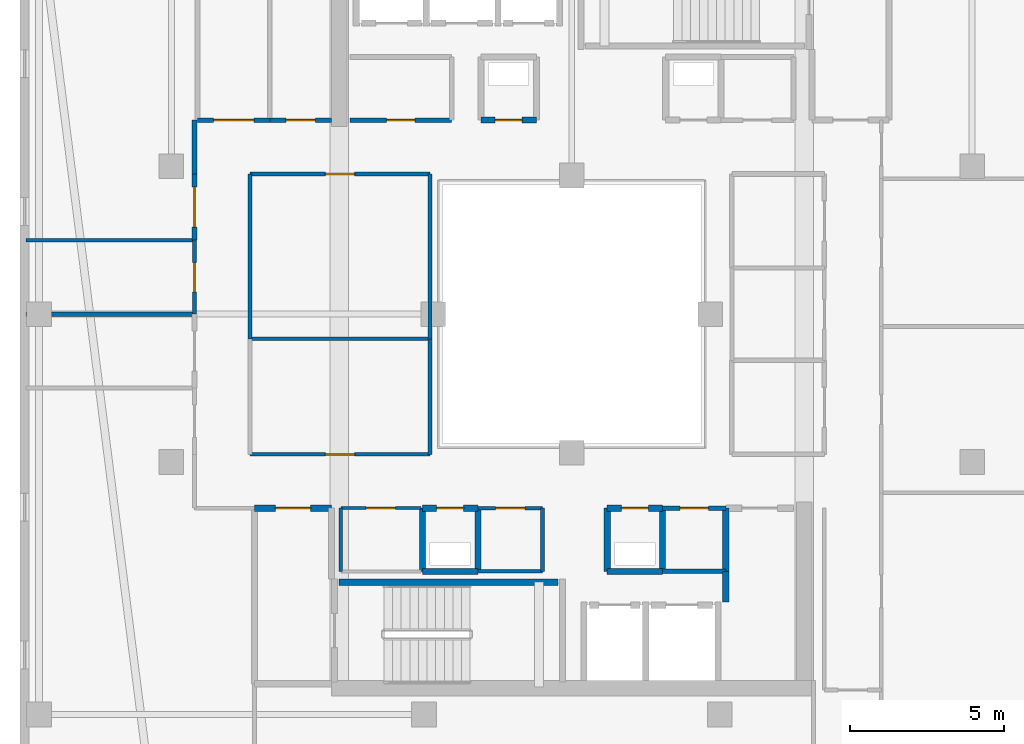
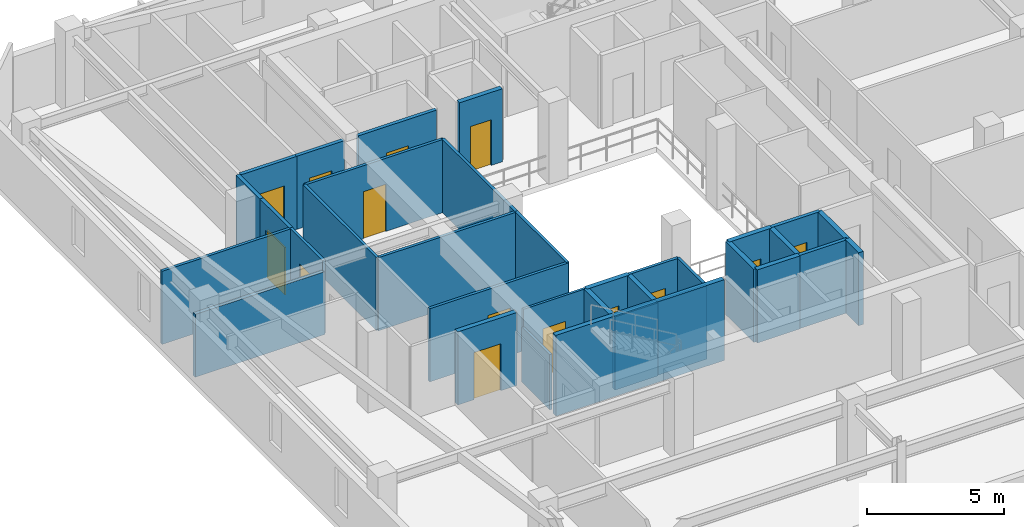
# One storey, part 22 of 35: 34 walls, 14 doors, 14 openings.
"""IFC4 building model written with IfcOpenShell, lengths in metres."""

from ifc_helpers import new_model, si_unit, direction, frame, frame_2d, origin, place, context, subcontext, project, spatial, rectangle, extrude, material, layer, layer_set, type_object, element, fill, save


model = new_model("IFC4")

# Units and contexts
model_context = context("Model", 3, precision=1e-05, world=origin(), true_north=direction((0.0, 1.0)))
body_context = subcontext(model_context, "Body", "Model", "MODEL_VIEW")
ifc_project = project(units=[si_unit("LENGTHUNIT", "METRE"), si_unit("AREAUNIT", "SQUARE_METRE"), si_unit("VOLUMEUNIT", "CUBIC_METRE"), si_unit("PLANEANGLEUNIT", "RADIAN"), si_unit("MASSUNIT", "GRAM", prefix="KILO")], contexts=[model_context])

# Site, building, storey
site_placement = place(None, origin())
site = spatial("IfcSite", under=ifc_project, at=site_placement, CompositionType="ELEMENT")
building_placement = place(site_placement, origin())
building = spatial("IfcBuilding", under=site, at=building_placement, Name="Thornwick Lancets Civic Towers", CompositionType="ELEMENT")
storey_placement = place(building_placement, frame((0.0, 0.0, 276.300048828125)))
storey = spatial("IfcBuildingStorey", under=building, at=storey_placement, Name="L74", CompositionType="ELEMENT", Elevation=276.300048828125)

# Wall, opening, door
ifc_material_1 = material(Name="Concrete blockwork C40/50", Category="masonry")
ifc_layer_1 = layer(ifc_material_1, 0.199951171875, Name="Concrete blockwork C40/50")
ifc_layer_set_1 = layer_set([ifc_layer_1], Name="Concrete blockwork C40/50")
wall_type_1 = type_object("IfcWallType", Name="WALL_COMP_200", PredefinedType="STANDARD", material=ifc_layer_set_1)
wall_1_placement = place(storey_placement, frame((17.699951171875, 20.699951171875, 0.0), z_axis=(0.0, 0.0, 1.0), x_axis=(-1.0, 0.0, 0.0)))
wall_1 = element("IfcWall", 1, at=wall_1_placement, inside=storey, type_object=wall_type_1, Name="L74 Partition L74-A-FFLOB1 E3", PredefinedType="STANDARD", context=body_context, shape_type="SweptSolid", body=[
    extrude(rectangle(XDim=2.5, YDim=0.199951171875, at=frame_2d((1.25, 0.0))), origin(), (0.0, 0.0, 1.0), 3.260009765625),
])
opening_1_placement = place(wall_1_placement, frame((0.675048828125, 0.0, 0.0)))
opening_1 = element("IfcOpeningElement", 2, at=opening_1_placement, cuts=wall_1, Name="Opening D-L74-3385", PredefinedType="OPENING", context=body_context, shape_type="SweptSolid", body=[
    extrude(rectangle(XDim=1.14990234375, YDim=2.10009765625, at=frame_2d((0.574951171875, 1.050048828125))), frame((0.0, 0.10986328125, 0.0), z_axis=(0.0, -1.0, 0.0), x_axis=(1.0, 0.0, 0.0)), (0.0, 0.0, 1.0), 0.219970703125),
])
ifc_material_2 = material(Name="Glazed fire-resisting steel", Category="steel")
door_type_1 = type_object("IfcDoorType", Name="DOOR_LOBBY_FD60", OperationType="NOTDEFINED", PredefinedType="DOOR", material=ifc_material_2)
door_1_placement = place(opening_1_placement, origin())
door_1 = element("IfcDoor", 3, at=door_1_placement, inside=storey, type_object=door_type_1, Name="L74 South Firefighting Lobby 1 Door", OperationType="SINGLE_SWING_RIGHT", OverallHeight=2.10009765625, OverallWidth=1.14990234375, PredefinedType="DOOR", context=body_context, shape_type="SweptSolid", body=[
    extrude(rectangle(XDim=1.14990234375, YDim=2.10009765625, at=frame_2d((0.574951171875, 1.050048828125))), frame((0.0, 0.02490234375, 0.0), z_axis=(0.0, -1.0, 0.0), x_axis=(1.0, 0.0, 0.0)), (0.0, 0.0, 1.0), 0.050048828125),
])
fill(opening_1, door_1)

# Walls
wall_2_placement = place(storey_placement, frame((26.64990234375, 18.64990234375, 0.0), z_axis=(0.0, 0.0, 1.0), x_axis=(1.0, 0.0, 0.0)))
element("IfcWall", 4, at=wall_2_placement, inside=storey, type_object=wall_type_1, Name="L74 Partition L74-A-DUCT1 E1", PredefinedType="STANDARD", context=body_context, shape_type="SweptSolid", body=[
    extrude(rectangle(XDim=1.800048828125, YDim=0.199951171875, at=frame_2d((0.89990234375, 0.0))), origin(), (0.0, 0.0, 1.0), 3.260009765625),
])
wall_3_placement = place(storey_placement, frame((28.449951171875, 18.64990234375, 0.0), z_axis=(0.0, 0.0, 1.0), x_axis=(0.0, 1.0, 0.0)))
element("IfcWall", 5, at=wall_3_placement, inside=storey, type_object=wall_type_1, Name="L74 Partition L74-A-DUCT1 E2", PredefinedType="STANDARD", context=body_context, shape_type="SweptSolid", body=[
    extrude(rectangle(XDim=2.050048828125, YDim=0.199951171875, at=frame_2d((1.02490234375, 0.0))), origin(), (0.0, 0.0, 1.0), 3.260009765625),
])

# Wall, opening, door
wall_4_placement = place(storey_placement, frame((28.449951171875, 20.699951171875, 0.0), z_axis=(0.0, 0.0, 1.0), x_axis=(-1.0, 0.0, 0.0)))
wall_4 = element("IfcWall", 6, at=wall_4_placement, inside=storey, type_object=wall_type_1, Name="L74 Partition L74-A-DUCT1 E3", PredefinedType="STANDARD", context=body_context, shape_type="SweptSolid", body=[
    extrude(rectangle(XDim=1.800048828125, YDim=0.199951171875, at=frame_2d((0.89990234375, 0.0))), origin(), (0.0, 0.0, 1.0), 3.260009765625),
])
opening_2_placement = place(wall_4_placement, frame((0.4599609375, 0.0, 0.0)))
opening_2 = element("IfcOpeningElement", 7, at=opening_2_placement, cuts=wall_4, Name="Opening D-L74-3387", PredefinedType="OPENING", context=body_context, shape_type="SweptSolid", body=[
    extrude(rectangle(XDim=0.8798828125, YDim=2.0400390625, at=frame_2d((0.43994140625, 1.02001953125))), frame((0.0, 0.10986328125, 0.0), z_axis=(0.0, -1.0, 0.0), x_axis=(1.0, 0.0, 0.0)), (0.0, 0.0, 1.0), 0.219970703125),
])
ifc_material_3 = material(Name="Steel riser access doorset", Category="steel")
door_type_2 = type_object("IfcDoorType", Name="DOOR_RISER_850", OperationType="NOTDEFINED", PredefinedType="DOOR", material=ifc_material_3)
door_2_placement = place(opening_2_placement, origin())
door_2 = element("IfcDoor", 8, at=door_2_placement, inside=storey, type_object=door_type_2, Name="L74 South Service Duct 1 Door", OperationType="SINGLE_SWING_RIGHT", OverallHeight=2.0400390625, OverallWidth=0.8798828125, PredefinedType="DOOR", context=body_context, shape_type="SweptSolid", body=[
    extrude(rectangle(XDim=0.8798828125, YDim=2.0400390625, at=frame_2d((0.43994140625, 1.02001953125))), frame((0.0, 0.02490234375, 0.0), z_axis=(0.0, -1.0, 0.0), x_axis=(1.0, 0.0, 0.0)), (0.0, 0.0, 1.0), 0.050048828125),
])
fill(opening_2, door_2)

# Walls
wall_5_placement = place(storey_placement, frame((26.64990234375, 20.699951171875, 0.0), z_axis=(0.0, 0.0, 1.0), x_axis=(0.0, -1.0, 0.0)))
element("IfcWall", 9, at=wall_5_placement, inside=storey, type_object=wall_type_1, Name="L74 Partition L74-A-DUCT1 E4", PredefinedType="STANDARD", context=body_context, shape_type="SweptSolid", body=[
    extrude(rectangle(XDim=2.050048828125, YDim=0.199951171875, at=frame_2d((1.02490234375, 0.0))), origin(), (0.0, 0.0, 1.0), 3.260009765625),
])
wall_6_placement = place(storey_placement, frame((20.64990234375, 18.64990234375, 0.0), z_axis=(0.0, 0.0, 1.0), x_axis=(1.0, 0.0, 0.0)))
element("IfcWall", 10, at=wall_6_placement, inside=storey, type_object=wall_type_1, Name="L74 Partition L74-A-RISER1 E1", PredefinedType="STANDARD", context=body_context, shape_type="SweptSolid", body=[
    extrude(rectangle(XDim=1.800048828125, YDim=0.199951171875, at=frame_2d((0.89990234375, 0.0))), origin(), (0.0, 0.0, 1.0), 3.260009765625),
])
wall_7_placement = place(storey_placement, frame((22.449951171875, 18.64990234375, 0.0), z_axis=(0.0, 0.0, 1.0), x_axis=(0.0, 1.0, 0.0)))
element("IfcWall", 11, at=wall_7_placement, inside=storey, type_object=wall_type_1, Name="L74 Partition L74-A-RISER1 E2", PredefinedType="STANDARD", context=body_context, shape_type="SweptSolid", body=[
    extrude(rectangle(XDim=2.050048828125, YDim=0.199951171875, at=frame_2d((1.02490234375, 0.0))), origin(), (0.0, 0.0, 1.0), 3.260009765625),
])

# Wall, opening, door
wall_8_placement = place(storey_placement, frame((22.449951171875, 20.699951171875, 0.0), z_axis=(0.0, 0.0, 1.0), x_axis=(-1.0, 0.0, 0.0)))
wall_8 = element("IfcWall", 12, at=wall_8_placement, inside=storey, type_object=wall_type_1, Name="L74 Partition L74-A-RISER1 E3", PredefinedType="STANDARD", context=body_context, shape_type="SweptSolid", body=[
    extrude(rectangle(XDim=1.800048828125, YDim=0.199951171875, at=frame_2d((0.89990234375, 0.0))), origin(), (0.0, 0.0, 1.0), 3.260009765625),
])
opening_3_placement = place(wall_8_placement, frame((0.4599609375, 0.0, 0.0)))
opening_3 = element("IfcOpeningElement", 13, at=opening_3_placement, cuts=wall_8, Name="Opening D-L74-3388", PredefinedType="OPENING", context=body_context, shape_type="SweptSolid", body=[
    extrude(rectangle(XDim=0.8798828125, YDim=2.0400390625, at=frame_2d((0.43994140625, 1.02001953125))), frame((0.0, 0.10986328125, 0.0), z_axis=(0.0, -1.0, 0.0), x_axis=(1.0, 0.0, 0.0)), (0.0, 0.0, 1.0), 0.219970703125),
])
door_3_placement = place(opening_3_placement, origin())
door_3 = element("IfcDoor", 14, at=door_3_placement, inside=storey, type_object=door_type_2, Name="L74 South Electrical Riser 1 Door", OperationType="SINGLE_SWING_LEFT", OverallHeight=2.0400390625, OverallWidth=0.8798828125, PredefinedType="DOOR", context=body_context, shape_type="SweptSolid", body=[
    extrude(rectangle(XDim=0.8798828125, YDim=2.0400390625, at=frame_2d((0.43994140625, 1.02001953125))), frame((0.0, 0.02490234375, 0.0), z_axis=(0.0, -1.0, 0.0), x_axis=(1.0, 0.0, 0.0)), (0.0, 0.0, 1.0), 0.050048828125),
])
fill(opening_3, door_3)

# Wall
wall_9_placement = place(storey_placement, frame((20.64990234375, 20.699951171875, 0.0), z_axis=(0.0, 0.0, 1.0), x_axis=(0.0, -1.0, 0.0)))
element("IfcWall", 15, at=wall_9_placement, inside=storey, type_object=wall_type_1, Name="L74 Partition L74-A-RISER1 E4", PredefinedType="STANDARD", context=body_context, shape_type="SweptSolid", body=[
    extrude(rectangle(XDim=2.050048828125, YDim=0.199951171875, at=frame_2d((1.02490234375, 0.0))), origin(), (0.0, 0.0, 1.0), 3.260009765625),
])

# Wall, opening, door
wall_10_placement = place(storey_placement, frame((22.550048828125, 33.300048828125, 0.0), z_axis=(0.0, 0.0, 1.0), x_axis=(1.0, 0.0, 0.0)))
wall_10 = element("IfcWall", 16, at=wall_10_placement, inside=storey, type_object=wall_type_1, Name="L74 Partition L74-A-DUCT2 E1", PredefinedType="STANDARD", context=body_context, shape_type="SweptSolid", body=[
    extrude(rectangle(XDim=1.800048828125, YDim=0.199951171875, at=frame_2d((0.89990234375, 0.0))), origin(), (0.0, 0.0, 1.0), 3.260009765625),
])
opening_4_placement = place(wall_10_placement, frame((0.4599609375, 0.0, 0.0)))
opening_4 = element("IfcOpeningElement", 17, at=opening_4_placement, cuts=wall_10, Name="Opening D-L74-3389", PredefinedType="OPENING", context=body_context, shape_type="SweptSolid", body=[
    extrude(rectangle(XDim=0.8798828125, YDim=2.0400390625, at=frame_2d((0.43994140625, 1.02001953125))), frame((0.0, 0.10986328125, 0.0), z_axis=(0.0, -1.0, 0.0), x_axis=(1.0, 0.0, 0.0)), (0.0, 0.0, 1.0), 0.219970703125),
])
door_4_placement = place(opening_4_placement, origin())
door_4 = element("IfcDoor", 18, at=door_4_placement, inside=storey, type_object=door_type_2, Name="L74 North Service Duct 2 Door", OperationType="SINGLE_SWING_RIGHT", OverallHeight=2.0400390625, OverallWidth=0.8798828125, PredefinedType="DOOR", context=body_context, shape_type="SweptSolid", body=[
    extrude(rectangle(XDim=0.8798828125, YDim=2.0400390625, at=frame_2d((0.43994140625, 1.02001953125))), frame((0.0, 0.02490234375, 0.0), z_axis=(0.0, -1.0, 0.0), x_axis=(1.0, 0.0, 0.0)), (0.0, 0.0, 1.0), 0.050048828125),
])
fill(opening_4, door_4)

# Walls
wall_11_placement = place(storey_placement, frame((30.5, 17.64794921875, 0.0), z_axis=(0.0, 0.0, 1.0), x_axis=(0.0, 1.0, 0.0)))
element("IfcWall", 19, at=wall_11_placement, inside=storey, type_object=wall_type_1, Name="L74 Partition L74-A-STR2 E3", PredefinedType="STANDARD", context=body_context, shape_type="SweptSolid", body=[
    extrude(rectangle(XDim=1.001953125, YDim=0.199951171875, at=frame_2d((0.5009765625, 0.0))), origin(), (0.0, 0.0, 1.0), 3.260009765625),
])
wall_12_placement = place(storey_placement, frame((30.5, 18.64990234375, 0.0), z_axis=(0.0, 0.0, 1.0), x_axis=(0.0, 1.0, 0.0)))
element("IfcWall", 20, at=wall_12_placement, inside=storey, type_object=wall_type_1, Name="L74 Partition L74-A-STR2 E4", PredefinedType="STANDARD", context=body_context, shape_type="SweptSolid", body=[
    extrude(rectangle(XDim=2.050048828125, YDim=0.199951171875, at=frame_2d((1.02490234375, 0.0))), origin(), (0.0, 0.0, 1.0), 3.260009765625),
])

# Wall, opening, door
ifc_material_4 = material(Name="Lightweight cellular office partition")
ifc_layer_2 = layer(ifc_material_4, 0.10009765625, Name="Lightweight cellular office partition")
ifc_layer_set_2 = layer_set([ifc_layer_2], Name="Lightweight cellular office partition")
wall_type_2 = type_object("IfcWallType", Name="WALL_PART_100", PredefinedType="PARTITIONING", material=ifc_layer_set_2)
wall_13_placement = place(storey_placement, frame((20.60009765625, 20.699951171875, 0.0), z_axis=(0.0, 0.0, 1.0), x_axis=(-1.0, 0.0, 0.0)))
wall_13 = element("IfcWall", 21, at=wall_13_placement, inside=storey, type_object=wall_type_2, Name="L74 Partition L74-A-CLN E3", PredefinedType="PARTITIONING", context=body_context, shape_type="SweptSolid", body=[
    extrude(rectangle(XDim=2.60009765625, YDim=0.10009765625, at=frame_2d((1.300048828125, 0.0))), origin(), (0.0, 0.0, 1.0), 3.260009765625),
])
opening_5_placement = place(wall_13_placement, frame((0.824951171875, 0.0, 0.0)))
opening_5 = element("IfcOpeningElement", 22, at=opening_5_placement, cuts=wall_13, Name="Opening D-L74-3391", PredefinedType="OPENING", context=body_context, shape_type="SweptSolid", body=[
    extrude(rectangle(XDim=0.949951171875, YDim=2.10009765625, at=frame_2d((0.47509765625, 1.050048828125))), frame((0.0, 0.06005859375, 0.0), z_axis=(0.0, -1.0, 0.0), x_axis=(1.0, 0.0, 0.0)), (0.0, 0.0, 1.0), 0.1201171875),
])
ifc_material_5 = material(Name="European oak acoustic doorset")
door_type_3 = type_object("IfcDoorType", Name="DOOR_OFFICE_950", OperationType="NOTDEFINED", PredefinedType="DOOR", material=ifc_material_5)
door_5_placement = place(opening_5_placement, origin())
door_5 = element("IfcDoor", 23, at=door_5_placement, inside=storey, type_object=door_type_3, Name="L74 Tower A Cleaners Store Door", OperationType="SINGLE_SWING_RIGHT", OverallHeight=2.10009765625, OverallWidth=0.949951171875, PredefinedType="DOOR", context=body_context, shape_type="SweptSolid", body=[
    extrude(rectangle(XDim=0.949951171875, YDim=2.10009765625, at=frame_2d((0.47509765625, 1.050048828125))), frame((0.0, 0.02490234375, 0.0), z_axis=(0.0, -1.0, 0.0), x_axis=(1.0, 0.0, 0.0)), (0.0, 0.0, 1.0), 0.050048828125),
])
fill(opening_5, door_5)

# Walls
wall_14_placement = place(storey_placement, frame((18.0, 20.699951171875, 0.0), z_axis=(0.0, 0.0, 1.0), x_axis=(0.0, -1.0, 0.0)))
element("IfcWall", 24, at=wall_14_placement, inside=storey, type_object=wall_type_2, Name="L74 Partition L74-A-CLN E4", PredefinedType="PARTITIONING", context=body_context, shape_type="SweptSolid", body=[
    extrude(rectangle(XDim=2.050048828125, YDim=0.10009765625, at=frame_2d((1.02490234375, 0.0))), origin(), (0.0, 0.0, 1.0), 2.46484375),
])
ifc_material_6 = material(Name="Acoustic gypsum board partition")
ifc_layer_3 = layer(ifc_material_6, 0.1201171875, Name="Acoustic gypsum board partition")
ifc_layer_set_3 = layer_set([ifc_layer_3], Name="Acoustic gypsum board partition")
wall_type_3 = type_object("IfcWallType", Name="WALL_PART_120", PredefinedType="PARTITIONING", material=ifc_layer_set_3)
wall_15_placement = place(storey_placement, frame((24.550048828125, 20.699951171875, 0.0), z_axis=(0.0, 0.0, 1.0), x_axis=(0.0, -1.0, 0.0)))
element("IfcWall", 25, at=wall_15_placement, inside=storey, type_object=wall_type_3, Name="L74 Partition L74-A-ITR E1", PredefinedType="PARTITIONING", context=body_context, shape_type="SweptSolid", body=[
    extrude(rectangle(XDim=2.050048828125, YDim=0.1201171875, at=frame_2d((1.02490234375, 0.0))), origin(), (0.0, 0.0, 1.0), 3.260009765625),
])
wall_16_placement = place(storey_placement, frame((24.550048828125, 18.64990234375, 0.0), z_axis=(0.0, 0.0, 1.0), x_axis=(-1.0, 0.0, 0.0)))
element("IfcWall", 26, at=wall_16_placement, inside=storey, type_object=wall_type_3, Name="L74 Partition L74-A-ITR E2", PredefinedType="PARTITIONING", context=body_context, shape_type="SweptSolid", body=[
    extrude(rectangle(XDim=2.10009765625, YDim=0.1201171875, at=frame_2d((1.050048828125, 0.0))), origin(), (0.0, 0.0, 1.0), 3.260009765625),
])

# Wall, opening, door
wall_17_placement = place(storey_placement, frame((22.449951171875, 20.699951171875, 0.0), z_axis=(0.0, 0.0, 1.0), x_axis=(1.0, 0.0, 0.0)))
wall_17 = element("IfcWall", 27, at=wall_17_placement, inside=storey, type_object=wall_type_3, Name="L74 Partition L74-A-ITR E4", PredefinedType="PARTITIONING", context=body_context, shape_type="SweptSolid", body=[
    extrude(rectangle(XDim=2.10009765625, YDim=0.1201171875, at=frame_2d((1.050048828125, 0.0))), origin(), (0.0, 0.0, 1.0), 3.260009765625),
])
opening_6_placement = place(wall_17_placement, frame((0.574951171875, 0.0, 0.0)))
opening_6 = element("IfcOpeningElement", 28, at=opening_6_placement, cuts=wall_17, Name="Opening D-L74-3392", PredefinedType="OPENING", context=body_context, shape_type="SweptSolid", body=[
    extrude(rectangle(XDim=0.949951171875, YDim=2.10009765625, at=frame_2d((0.47509765625, 1.050048828125))), frame((0.0, 0.070068359375, 0.0), z_axis=(0.0, -1.0, 0.0), x_axis=(1.0, 0.0, 0.0)), (0.0, 0.0, 1.0), 0.14013671875),
])
door_6_placement = place(opening_6_placement, origin())
door_6 = element("IfcDoor", 29, at=door_6_placement, inside=storey, type_object=door_type_3, Name="L74 Tower A Comms Patch Room Door", OperationType="SINGLE_SWING_LEFT", OverallHeight=2.10009765625, OverallWidth=0.949951171875, PredefinedType="DOOR", context=body_context, shape_type="SweptSolid", body=[
    extrude(rectangle(XDim=0.949951171875, YDim=2.10009765625, at=frame_2d((0.47509765625, 1.050048828125))), frame((0.0, 0.02490234375, 0.0), z_axis=(0.0, -1.0, 0.0), x_axis=(1.0, 0.0, 0.0)), (0.0, 0.0, 1.0), 0.050048828125),
])
fill(opening_6, door_6)

wall_18_placement = place(storey_placement, frame((13.25, 29.39990234375, 0.0), z_axis=(0.0, 0.0, 1.0), x_axis=(0.0, -1.0, 0.0)))
wall_18 = element("IfcWall", 30, at=wall_18_placement, inside=storey, type_object=wall_type_3, Name="L74 Partition L74-A-W2B E1", PredefinedType="PARTITIONING", context=body_context, shape_type="SweptSolid", body=[
    extrude(rectangle(XDim=2.39990234375, YDim=0.1201171875, at=frame_2d((1.199951171875, 0.0))), origin(), (0.0, 0.0, 1.0), 3.260009765625),
])
opening_7_placement = place(wall_18_placement, frame((0.72509765625, 0.0, 0.0)))
opening_7 = element("IfcOpeningElement", 31, at=opening_7_placement, cuts=wall_18, Name="Opening D-L74-3414", PredefinedType="OPENING", context=body_context, shape_type="SweptSolid", body=[
    extrude(rectangle(XDim=0.949951171875, YDim=2.10009765625, at=frame_2d((0.47509765625, 1.050048828125))), frame((0.0, 0.070068359375, 0.0), z_axis=(0.0, -1.0, 0.0), x_axis=(1.0, 0.0, 0.0)), (0.0, 0.0, 1.0), 0.14013671875),
])
door_7_placement = place(opening_7_placement, origin())
door_7 = element("IfcDoor", 32, at=door_7_placement, inside=storey, type_object=door_type_3, Name="L74 Tower A Senior Counsel Office W2B Door", OperationType="SINGLE_SWING_LEFT", OverallHeight=2.10009765625, OverallWidth=0.949951171875, PredefinedType="DOOR", context=body_context, shape_type="SweptSolid", body=[
    extrude(rectangle(XDim=0.949951171875, YDim=2.10009765625, at=frame_2d((0.47509765625, 1.050048828125))), frame((0.0, 0.02490234375, 0.0), z_axis=(0.0, -1.0, 0.0), x_axis=(1.0, 0.0, 0.0)), (0.0, 0.0, 1.0), 0.050048828125),
])
fill(opening_7, door_7)

# Walls
wall_19_placement = place(storey_placement, frame((7.780029296875, 29.39990234375, 0.0), z_axis=(0.0, 0.0, 1.0), x_axis=(1.0, 0.0, 0.0)))
element("IfcWall", 33, at=wall_19_placement, inside=storey, type_object=wall_type_3, Name="L74 Partition L74-A-W2B E4", PredefinedType="PARTITIONING", context=body_context, shape_type="SweptSolid", body=[
    extrude(rectangle(XDim=5.469970703125, YDim=0.1201171875, at=frame_2d((2.73486328125, 0.0))), origin(), (0.0, 0.0, 1.0), 3.260009765625),
])
wall_20_placement = place(storey_placement, frame((15.050048828125, 26.199951171875, 0.0), z_axis=(0.0, 0.0, 1.0), x_axis=(1.0, 0.0, 0.0)))
element("IfcWall", 34, at=wall_20_placement, inside=storey, type_object=wall_type_3, Name="L74 Partition L74-A-W3 E2", PredefinedType="PARTITIONING", context=body_context, shape_type="SweptSolid", body=[
    extrude(rectangle(XDim=5.849853515625, YDim=0.1201171875, at=frame_2d((2.9248046875, 0.0))), origin(), (0.0, 0.0, 1.0), 3.260009765625),
])
wall_21_placement = place(storey_placement, frame((20.89990234375, 26.199951171875, 0.0), z_axis=(0.0, 0.0, 1.0), x_axis=(0.0, -1.0, 0.0)))
element("IfcWall", 35, at=wall_21_placement, inside=storey, type_object=wall_type_3, Name="L74 Partition L74-A-W3 E3", PredefinedType="PARTITIONING", context=body_context, shape_type="SweptSolid", body=[
    extrude(rectangle(XDim=3.75, YDim=0.1201171875, at=frame_2d((1.875, 0.0))), origin(), (0.0, 0.0, 1.0), 3.260009765625),
])

# Wall, opening, door
wall_22_placement = place(storey_placement, frame((20.89990234375, 22.449951171875, 0.0), z_axis=(0.0, 0.0, 1.0), x_axis=(-1.0, 0.0, 0.0)))
wall_22 = element("IfcWall", 36, at=wall_22_placement, inside=storey, type_object=wall_type_3, Name="L74 Partition L74-A-W3 E4", PredefinedType="PARTITIONING", context=body_context, shape_type="SweptSolid", body=[
    extrude(rectangle(XDim=5.849853515625, YDim=0.1201171875, at=frame_2d((2.9248046875, 0.0))), origin(), (0.0, 0.0, 1.0), 3.260009765625),
])
opening_8_placement = place(wall_22_placement, frame((2.449951171875, 0.0, 0.0)))
opening_8 = element("IfcOpeningElement", 37, at=opening_8_placement, cuts=wall_22, Name="Opening D-L74-3416", PredefinedType="OPENING", context=body_context, shape_type="SweptSolid", body=[
    extrude(rectangle(XDim=0.949951171875, YDim=2.10009765625, at=frame_2d((0.47509765625, 1.050048828125))), frame((0.0, 0.070068359375, 0.0), z_axis=(0.0, -1.0, 0.0), x_axis=(1.0, 0.0, 0.0)), (0.0, 0.0, 1.0), 0.14013671875),
])
door_8_placement = place(opening_8_placement, origin())
door_8 = element("IfcDoor", 38, at=door_8_placement, inside=storey, type_object=door_type_3, Name="L74 Tower A Staff Tea Pantry and Lounge Door", OperationType="SINGLE_SWING_LEFT", OverallHeight=2.10009765625, OverallWidth=0.949951171875, PredefinedType="DOOR", context=body_context, shape_type="SweptSolid", body=[
    extrude(rectangle(XDim=0.949951171875, YDim=2.10009765625, at=frame_2d((0.47509765625, 1.050048828125))), frame((0.0, 0.02490234375, 0.0), z_axis=(0.0, -1.0, 0.0), x_axis=(1.0, 0.0, 0.0)), (0.0, 0.0, 1.0), 0.050048828125),
])
fill(opening_8, door_8)

# Wall
wall_23_placement = place(storey_placement, frame((15.050048828125, 26.199951171875, 0.0), z_axis=(0.0, 0.0, 1.0), x_axis=(0.0, 1.0, 0.0)))
element("IfcWall", 39, at=wall_23_placement, inside=storey, type_object=wall_type_3, Name="L74 Partition L74-A-W4 E1", PredefinedType="PARTITIONING", context=body_context, shape_type="SweptSolid", body=[
    extrude(rectangle(XDim=5.35009765625, YDim=0.1201171875, at=frame_2d((2.675048828125, 0.0))), origin(), (0.0, 0.0, 1.0), 3.260009765625),
])

# Wall, opening, door
wall_24_placement = place(storey_placement, frame((15.050048828125, 31.550048828125, 0.0), z_axis=(0.0, 0.0, 1.0), x_axis=(1.0, 0.0, 0.0)))
wall_24 = element("IfcWall", 40, at=wall_24_placement, inside=storey, type_object=wall_type_3, Name="L74 Partition L74-A-W4 E2", PredefinedType="PARTITIONING", context=body_context, shape_type="SweptSolid", body=[
    extrude(rectangle(XDim=5.849853515625, YDim=0.1201171875, at=frame_2d((2.9248046875, 0.0))), origin(), (0.0, 0.0, 1.0), 3.260009765625),
])
opening_9_placement = place(wall_24_placement, frame((2.449951171875, 0.0, 0.0)))
opening_9 = element("IfcOpeningElement", 41, at=opening_9_placement, cuts=wall_24, Name="Opening D-L74-3417", PredefinedType="OPENING", context=body_context, shape_type="SweptSolid", body=[
    extrude(rectangle(XDim=0.949951171875, YDim=2.10009765625, at=frame_2d((0.47509765625, 1.050048828125))), frame((0.0, 0.070068359375, 0.0), z_axis=(0.0, -1.0, 0.0), x_axis=(1.0, 0.0, 0.0)), (0.0, 0.0, 1.0), 0.14013671875),
])
door_9_placement = place(opening_9_placement, origin())
door_9 = element("IfcDoor", 42, at=door_9_placement, inside=storey, type_object=door_type_3, Name="L74 Tower A Statutory Research Library W4 Door", OperationType="SINGLE_SWING_RIGHT", OverallHeight=2.10009765625, OverallWidth=0.949951171875, PredefinedType="DOOR", context=body_context, shape_type="SweptSolid", body=[
    extrude(rectangle(XDim=0.949951171875, YDim=2.10009765625, at=frame_2d((0.47509765625, 1.050048828125))), frame((0.0, 0.02490234375, 0.0), z_axis=(0.0, -1.0, 0.0), x_axis=(1.0, 0.0, 0.0)), (0.0, 0.0, 1.0), 0.050048828125),
])
fill(opening_9, door_9)

# Walls
wall_25_placement = place(storey_placement, frame((20.89990234375, 31.550048828125, 0.0), z_axis=(0.0, 0.0, 1.0), x_axis=(0.0, -1.0, 0.0)))
element("IfcWall", 43, at=wall_25_placement, inside=storey, type_object=wall_type_3, Name="L74 Partition L74-A-W4 E3", PredefinedType="PARTITIONING", context=body_context, shape_type="SweptSolid", body=[
    extrude(rectangle(XDim=5.35009765625, YDim=0.1201171875, at=frame_2d((2.675048828125, 0.0))), origin(), (0.0, 0.0, 1.0), 3.260009765625),
])
ifc_material_7 = material(Name="Twin-stud acoustic gypsum board")
ifc_layer_4 = layer(ifc_material_7, 0.14990234375, Name="Twin-stud acoustic gypsum board")
ifc_layer_set_4 = layer_set([ifc_layer_4], Name="Twin-stud acoustic gypsum board")
wall_type_4 = type_object("IfcWallType", Name="WALL_PART_150", PredefinedType="PARTITIONING", material=ifc_layer_set_4)
wall_26_placement = place(storey_placement, frame((30.5, 18.64990234375, 0.0), z_axis=(0.0, 0.0, 1.0), x_axis=(-1.0, 0.0, 0.0)))
element("IfcWall", 44, at=wall_26_placement, inside=storey, type_object=wall_type_4, Name="L74 Partition L74-A-AWC E2", PredefinedType="PARTITIONING", context=body_context, shape_type="SweptSolid", body=[
    extrude(rectangle(XDim=2.050048828125, YDim=0.14990234375, at=frame_2d((1.02490234375, 0.0))), origin(), (0.0, 0.0, 1.0), 3.260009765625),
])

# Wall, opening, door
wall_27_placement = place(storey_placement, frame((28.449951171875, 20.699951171875, 0.0), z_axis=(0.0, 0.0, 1.0), x_axis=(1.0, 0.0, 0.0)))
wall_27 = element("IfcWall", 45, at=wall_27_placement, inside=storey, type_object=wall_type_4, Name="L74 Partition L74-A-AWC E4", PredefinedType="PARTITIONING", context=body_context, shape_type="SweptSolid", body=[
    extrude(rectangle(XDim=2.050048828125, YDim=0.14990234375, at=frame_2d((1.02490234375, 0.0))), origin(), (0.0, 0.0, 1.0), 3.260009765625),
])
opening_10_placement = place(wall_27_placement, frame((0.56494140625, 0.0, 0.0)))
opening_10 = element("IfcOpeningElement", 46, at=opening_10_placement, cuts=wall_27, Name="Opening D-L74-3393", PredefinedType="OPENING", context=body_context, shape_type="SweptSolid", body=[
    extrude(rectangle(XDim=0.919921875, YDim=2.080078125, at=frame_2d((0.4599609375, 1.0400390625))), frame((0.0, 0.0849609375, 0.0), z_axis=(0.0, -1.0, 0.0), x_axis=(1.0, 0.0, 0.0)), (0.0, 0.0, 1.0), 0.169921875),
])
ifc_material_8 = material(Name="Moisture-resistant oak doorset")
door_type_4 = type_object("IfcDoorType", Name="DOOR_WC_900", OperationType="NOTDEFINED", PredefinedType="DOOR", material=ifc_material_8)
door_10_placement = place(opening_10_placement, origin())
door_10 = element("IfcDoor", 47, at=door_10_placement, inside=storey, type_object=door_type_4, Name="L74 Tower A Accessible WC Door", OperationType="SINGLE_SWING_RIGHT", OverallHeight=2.080078125, OverallWidth=0.919921875, PredefinedType="DOOR", context=body_context, shape_type="SweptSolid", body=[
    extrude(rectangle(XDim=0.919921875, YDim=2.080078125, at=frame_2d((0.4599609375, 1.0400390625))), frame((0.0, 0.02490234375, 0.0), z_axis=(0.0, -1.0, 0.0), x_axis=(1.0, 0.0, 0.0)), (0.0, 0.0, 1.0), 0.050048828125),
])
fill(opening_10, door_10)

wall_28_placement = place(storey_placement, frame((18.300048828125, 33.300048828125, 0.0), z_axis=(0.0, 0.0, 1.0), x_axis=(1.0, 0.0, 0.0)))
wall_28 = element("IfcWall", 48, at=wall_28_placement, inside=storey, type_object=wall_type_4, Name="L74 Partition L74-A-MWC E1", PredefinedType="PARTITIONING", context=body_context, shape_type="SweptSolid", body=[
    extrude(rectangle(XDim=3.300048828125, YDim=0.14990234375, at=frame_2d((1.64990234375, 0.0))), origin(), (0.0, 0.0, 1.0), 3.260009765625),
])
opening_11_placement = place(wall_28_placement, frame((1.18994140625, 0.0, 0.0)))
opening_11 = element("IfcOpeningElement", 49, at=opening_11_placement, cuts=wall_28, Name="Opening D-L74-3395", PredefinedType="OPENING", context=body_context, shape_type="SweptSolid", body=[
    extrude(rectangle(XDim=0.919921875, YDim=2.080078125, at=frame_2d((0.4599609375, 1.0400390625))), frame((0.0, 0.0849609375, 0.0), z_axis=(0.0, -1.0, 0.0), x_axis=(1.0, 0.0, 0.0)), (0.0, 0.0, 1.0), 0.169921875),
])
door_11_placement = place(opening_11_placement, origin())
door_11 = element("IfcDoor", 50, at=door_11_placement, inside=storey, type_object=door_type_4, Name="L74 Tower A Male WC Door", OperationType="SINGLE_SWING_RIGHT", OverallHeight=2.080078125, OverallWidth=0.919921875, PredefinedType="DOOR", context=body_context, shape_type="SweptSolid", body=[
    extrude(rectangle(XDim=0.919921875, YDim=2.080078125, at=frame_2d((0.4599609375, 1.0400390625))), frame((0.0, 0.02490234375, 0.0), z_axis=(0.0, -1.0, 0.0), x_axis=(1.0, 0.0, 0.0)), (0.0, 0.0, 1.0), 0.050048828125),
])
fill(opening_11, door_11)

wall_29_placement = place(storey_placement, frame((15.699951171875, 33.300048828125, 0.0), z_axis=(0.0, 0.0, 1.0), x_axis=(-1.0, 0.0, 0.0)))
wall_29 = element("IfcWall", 51, at=wall_29_placement, inside=storey, type_object=wall_type_4, Name="L74 Partition L74-A-RECLAIM-M1 E4", PredefinedType="PARTITIONING", context=body_context, shape_type="SweptSolid", body=[
    extrude(rectangle(XDim=2.349853515625, YDim=0.14990234375, at=frame_2d((1.1748046875, 0.0))), origin(), (0.0, 0.0, 1.0), 3.260009765625),
])
opening_12_placement = place(wall_29_placement, frame((0.52490234375, 0.0, 0.0)))
opening_12 = element("IfcOpeningElement", 52, at=opening_12_placement, cuts=wall_29, Name="Opening D-L74-3410", PredefinedType="OPENING", context=body_context, shape_type="SweptSolid", body=[
    extrude(rectangle(XDim=1.300048828125, YDim=2.1201171875, at=frame_2d((0.64990234375, 1.06005859375))), frame((0.0, 0.0849609375, 0.0), z_axis=(0.0, -1.0, 0.0), x_axis=(1.0, 0.0, 0.0)), (0.0, 0.0, 1.0), 0.169921875),
])
ifc_material_9 = material(Name="Acoustic oak leaf-and-a-half doorset")
door_type_5 = type_object("IfcDoorType", Name="DOOR_MEET_1300", OperationType="DOUBLE_DOOR_SINGLE_SWING", PredefinedType="DOOR", material=ifc_material_9)
door_12_placement = place(opening_12_placement, origin())
door_12 = element("IfcDoor", 53, at=door_12_placement, inside=storey, type_object=door_type_5, Name="L74 Tower A Diplomatic Conference Room Door", OperationType="DOUBLE_DOOR_SINGLE_SWING", OverallHeight=2.1201171875, OverallWidth=1.300048828125, PredefinedType="DOOR", context=body_context, shape_type="SweptSolid", body=[
    extrude(rectangle(XDim=1.300048828125, YDim=2.1201171875, at=frame_2d((0.64990234375, 1.06005859375))), frame((0.0, 0.02490234375, 0.0), z_axis=(0.0, -1.0, 0.0), x_axis=(1.0, 0.0, 0.0)), (0.0, 0.0, 1.0), 0.050048828125),
])
fill(opening_12, door_12)

wall_30_placement = place(storey_placement, frame((17.699951171875, 33.300048828125, 0.0), z_axis=(0.0, 0.0, 1.0), x_axis=(-1.0, 0.0, 0.0)))
wall_30 = element("IfcWall", 54, at=wall_30_placement, inside=storey, type_object=wall_type_4, Name="L74 Partition L74-A-RECLAIM-M2 E4", PredefinedType="PARTITIONING", context=body_context, shape_type="SweptSolid", body=[
    extrude(rectangle(XDim=2.0, YDim=0.14990234375, at=frame_2d((1.0, 0.0))), origin(), (0.0, 0.0, 1.0), 3.260009765625),
])
opening_13_placement = place(wall_30_placement, frame((0.52490234375, 0.0, 0.0)))
opening_13 = element("IfcOpeningElement", 55, at=opening_13_placement, cuts=wall_30, Name="Opening D-L74-3411", PredefinedType="OPENING", context=body_context, shape_type="SweptSolid", body=[
    extrude(rectangle(XDim=0.949951171875, YDim=2.10009765625, at=frame_2d((0.47509765625, 1.050048828125))), frame((0.0, 0.0849609375, 0.0), z_axis=(0.0, -1.0, 0.0), x_axis=(1.0, 0.0, 0.0)), (0.0, 0.0, 1.0), 0.169921875),
])
door_13_placement = place(opening_13_placement, origin())
door_13 = element("IfcDoor", 56, at=door_13_placement, inside=storey, type_object=door_type_3, Name="L74 Tower A Executive Records Archive Door", OperationType="SINGLE_SWING_RIGHT", OverallHeight=2.10009765625, OverallWidth=0.949951171875, PredefinedType="DOOR", context=body_context, shape_type="SweptSolid", body=[
    extrude(rectangle(XDim=0.949951171875, YDim=2.10009765625, at=frame_2d((0.47509765625, 1.050048828125))), frame((0.0, 0.02490234375, 0.0), z_axis=(0.0, -1.0, 0.0), x_axis=(1.0, 0.0, 0.0)), (0.0, 0.0, 1.0), 0.050048828125),
])
fill(opening_13, door_13)

# Walls
wall_31_placement = place(storey_placement, frame((7.780029296875, 27.0, 0.0), z_axis=(0.0, 0.0, 1.0), x_axis=(1.0, 0.0, 0.0)))
element("IfcWall", 57, at=wall_31_placement, inside=storey, type_object=wall_type_4, Name="L74 Partition L74-A-W2 E4", PredefinedType="PARTITIONING", context=body_context, shape_type="SweptSolid", body=[
    extrude(rectangle(XDim=5.469970703125, YDim=0.14990234375, at=frame_2d((2.73486328125, 0.0))), origin(), (0.0, 0.0, 1.0), 2.801513671875),
])
wall_32_placement = place(storey_placement, frame((13.25, 33.300048828125, 0.0), z_axis=(0.0, 0.0, 1.0), x_axis=(0.0, -1.0, 0.0)))
element("IfcWall", 58, at=wall_32_placement, inside=storey, type_object=wall_type_4, Name="L74 Partition L74-A-W2C E5", PredefinedType="PARTITIONING", context=body_context, shape_type="SweptSolid", body=[
    extrude(rectangle(XDim=1.75, YDim=0.14990234375, at=frame_2d((0.875, 0.0))), origin(), (0.0, 0.0, 1.0), 3.260009765625),
])

# Wall, opening, door
wall_33_placement = place(storey_placement, frame((13.25, 31.550048828125, 0.0), z_axis=(0.0, 0.0, 1.0), x_axis=(0.0, -1.0, 0.0)))
wall_33 = element("IfcWall", 59, at=wall_33_placement, inside=storey, type_object=wall_type_4, Name="L74 Partition L74-A-W2C E6", PredefinedType="PARTITIONING", context=body_context, shape_type="SweptSolid", body=[
    extrude(rectangle(XDim=2.150146484375, YDim=0.14990234375, at=frame_2d((1.0751953125, 0.0))), origin(), (0.0, 0.0, 1.0), 3.260009765625),
])
opening_14_placement = place(wall_33_placement, frame((0.425048828125, 0.0, 0.0)))
opening_14 = element("IfcOpeningElement", 60, at=opening_14_placement, cuts=wall_33, Name="Opening D-L74-3415", PredefinedType="OPENING", context=body_context, shape_type="SweptSolid", body=[
    extrude(rectangle(XDim=1.300048828125, YDim=2.1201171875, at=frame_2d((0.64990234375, 1.06005859375))), frame((0.0, 0.0849609375, 0.0), z_axis=(0.0, -1.0, 0.0), x_axis=(1.0, 0.0, 0.0)), (0.0, 0.0, 1.0), 0.169921875),
])
door_14_placement = place(opening_14_placement, origin())
door_14 = element("IfcDoor", 61, at=door_14_placement, inside=storey, type_object=door_type_5, Name="L74 Tower A Statutory Hearing Room W2C Door", OperationType="DOUBLE_DOOR_SINGLE_SWING", OverallHeight=2.1201171875, OverallWidth=1.300048828125, PredefinedType="DOOR", context=body_context, shape_type="SweptSolid", body=[
    extrude(rectangle(XDim=1.300048828125, YDim=2.1201171875, at=frame_2d((0.64990234375, 1.06005859375))), frame((0.0, 0.02490234375, 0.0), z_axis=(0.0, -1.0, 0.0), x_axis=(1.0, 0.0, 0.0)), (0.0, 0.0, 1.0), 0.050048828125),
])
fill(opening_14, door_14)

# Wall
ifc_material_10 = material(Name="Concrete C40/50", Category="concrete")
ifc_layer_5 = layer(ifc_material_10, 0.199951171875, Name="Concrete C40/50")
ifc_layer_set_5 = layer_set([ifc_layer_5], Name="Concrete C40/50")
wall_type_5 = type_object("IfcWallType", Name="WALL_SHAFT_200", PredefinedType="SHEAR", material=ifc_layer_set_5)
wall_34_placement = place(storey_placement, frame((25.050048828125, 18.297119140625, 0.0), z_axis=(0.0, 0.0, 1.0), x_axis=(-1.0, 0.0, 0.0)))
element("IfcWall", 62, at=wall_34_placement, inside=storey, type_object=wall_type_5, Name="L74 ST-A1 Fire Stair Core Wall RIGHT", PredefinedType="SHEAR", context=body_context, shape_type="SweptSolid", body=[
    extrude(rectangle(XDim=7.10009765625, YDim=0.199951171875, at=frame_2d((3.550048828125, 0.0))), origin(), (0.0, 0.0, 1.0), 3.599853515625),
])

save(model, "model.ifc")
